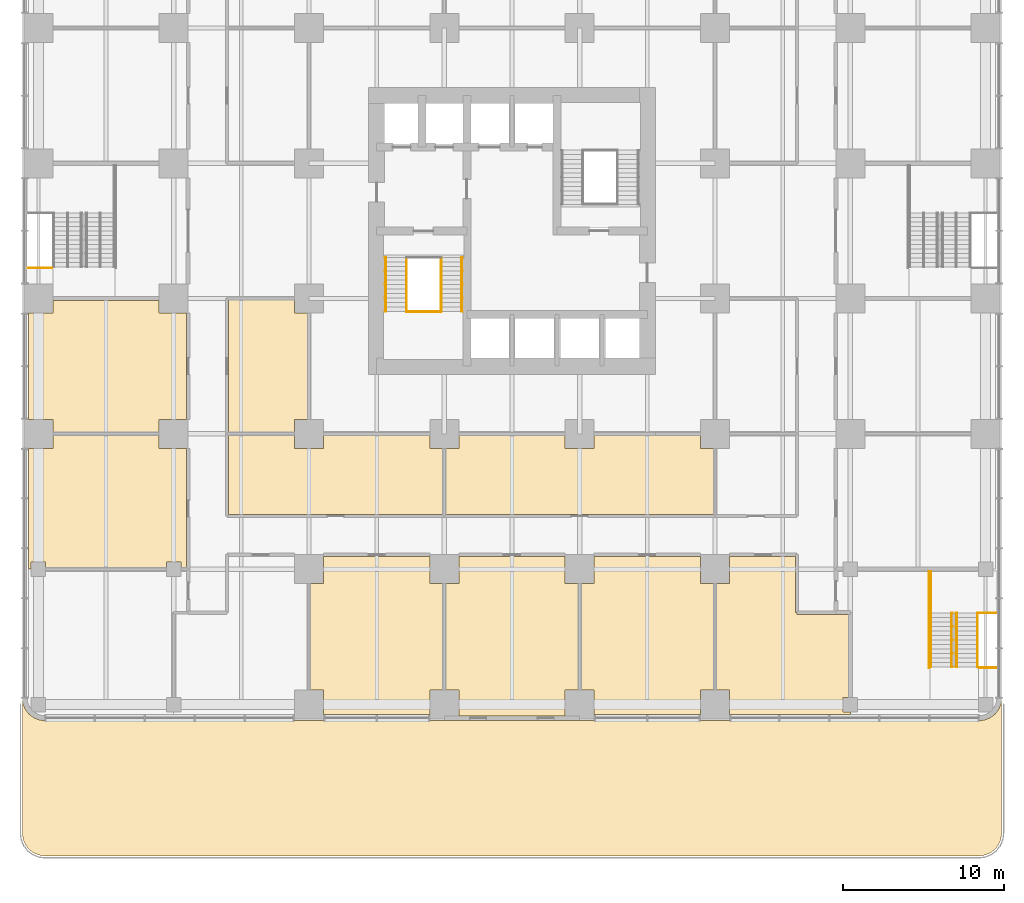
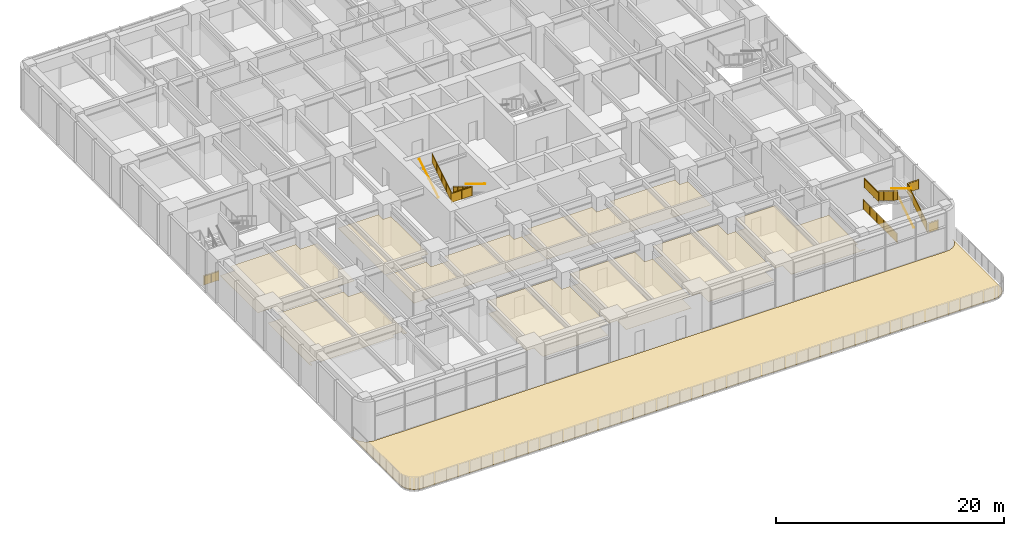
# One storey, part 16 of 19: 14 railings, 10 coverings.
"""IFC4 building model written with IfcOpenShell, lengths in metres."""

from ifc_helpers import new_model, si_unit, direction, frame, origin, origin_2d, place, context, subcontext, project, spatial, polyline, circle, outline, extrude, material, layer, layer_set, type_object, element, save


model = new_model("IFC4")

# Units and contexts
model_context = context("Model", 3, precision=1e-05, world=origin(), true_north=direction((0.0, 1.0)))
body_context = subcontext(model_context, "Body", "Model", "MODEL_VIEW")
ifc_project = project(units=[si_unit("LENGTHUNIT", "METRE"), si_unit("AREAUNIT", "SQUARE_METRE"), si_unit("VOLUMEUNIT", "CUBIC_METRE"), si_unit("PLANEANGLEUNIT", "RADIAN"), si_unit("MASSUNIT", "GRAM", prefix="KILO")], contexts=[model_context])

# Site, building, storey
site_placement = place(None, origin())
site = spatial("IfcSite", under=ifc_project, at=site_placement, CompositionType="ELEMENT")
building_placement = place(site_placement, origin())
building = spatial("IfcBuilding", under=site, at=building_placement, Name="Torre Alcanfor", CompositionType="ELEMENT")
storey_placement = place(building_placement, frame((0.0, 0.0, 15.0)))
storey = spatial("IfcBuildingStorey", under=building, at=storey_placement, Name="L03", CompositionType="ELEMENT", Elevation=15.0)

# Coverings
ifc_material_1 = material(Name="Mineral fibre acoustic tile 20 mm, NRC 0.70, on exposed suspension grid", Category="mineral fibre")
ifc_layer_1 = layer(ifc_material_1, 0.02001953125)
ifc_layer_set_1 = layer_set([ifc_layer_1], Name="Acoustic suspended ceiling 600x600 mineral fibre tile")
covering_type_1 = type_object("IfcCoveringType", Name="Acoustic suspended ceiling 600x600 mineral fibre tile", PredefinedType="CEILING", material=ifc_layer_set_1)
covering_1_placement = place(storey_placement, frame((0.0, 0.0, 2.75)))
element("IfcCovering", 1, at=covering_1_placement, inside=storey, type_object=covering_type_1, Name="Ceiling L03-02", PredefinedType="CEILING", context=body_context, shape_type="SweptSolid", body=[
    extrude(outline(polyline([(49.949951171875, -0.449951171875), (49.949951171875, 0.449951171875), (50.27490234375, 0.449951171875), (50.27490234375, 5.574951171875), (49.5, 5.574951171875), (49.5, 5.60009765625), (47.10009765625, 5.60009765625), (47.10009765625, 5.699951171875), (47.0, 5.699951171875), (47.0, 9.199951171875), (42.89990234375, 9.199951171875), (42.89990234375, 7.5), (42.074951171875, 7.5), (42.074951171875, 0.89990234375), (42.89990234375, 0.89990234375), (42.89990234375, -0.625), (50.39990234375, -0.625), (50.39990234375, -0.449951171875), (49.949951171875, -0.449951171875)])), origin(), (0.0, 0.0, 1.0), 0.02001953125),
])
covering_2_placement = place(storey_placement, frame((0.0, 0.0, 2.75)))
element("IfcCovering", 2, at=covering_2_placement, inside=storey, type_object=covering_type_1, Name="Ceiling L03-05", PredefinedType="CEILING", context=body_context, shape_type="SweptSolid", body=[
    extrude(outline(polyline([(25.125, 7.5), (24.300048828125, 7.5), (24.300048828125, 9.199951171875), (17.699951171875, 9.199951171875), (17.699951171875, 7.5), (16.875, 7.5), (16.875, 0.89990234375), (17.699951171875, 0.89990234375), (17.699951171875, -0.625), (24.300048828125, -0.625), (24.300048828125, 0.89990234375), (25.125, 0.89990234375), (25.125, 7.5)])), origin(), (0.0, 0.0, 1.0), 0.02001953125),
])
covering_3_placement = place(storey_placement, frame((0.0, 0.0, 2.75)))
element("IfcCovering", 3, at=covering_3_placement, inside=storey, type_object=covering_type_1, Name="Ceiling L03-06", PredefinedType="CEILING", context=body_context, shape_type="SweptSolid", body=[
    extrude(outline(polyline([(33.52490234375, 7.5), (32.699951171875, 7.5), (32.699951171875, 9.199951171875), (26.10009765625, 9.199951171875), (26.10009765625, 7.5), (25.27490234375, 7.5), (25.27490234375, 0.89990234375), (26.10009765625, 0.89990234375), (26.10009765625, -0.699951171875), (32.699951171875, -0.699951171875), (32.699951171875, 0.89990234375), (33.52490234375, 0.89990234375), (33.52490234375, 7.5)])), origin(), (0.0, 0.0, 1.0), 0.02001953125),
])
covering_4_placement = place(storey_placement, frame((0.0, 0.0, 2.75)))
element("IfcCovering", 4, at=covering_4_placement, inside=storey, type_object=covering_type_1, Name="Ceiling L03-07", PredefinedType="CEILING", context=body_context, shape_type="SweptSolid", body=[
    extrude(outline(polyline([(41.925048828125, 7.5), (41.10009765625, 7.5), (41.10009765625, 9.199951171875), (34.5, 9.199951171875), (34.5, 7.5), (33.675048828125, 7.5), (33.675048828125, 0.89990234375), (34.5, 0.89990234375), (34.5, -0.625), (41.10009765625, -0.625), (41.10009765625, 0.89990234375), (41.925048828125, 0.89990234375), (41.925048828125, 7.5)])), origin(), (0.0, 0.0, 1.0), 0.02001953125),
])
covering_5_placement = place(storey_placement, frame((0.0, 0.0, 2.75)))
element("IfcCovering", 5, at=covering_5_placement, inside=storey, type_object=covering_type_1, Name="Ceiling L03-08", PredefinedType="CEILING", context=body_context, shape_type="SweptSolid", body=[
    extrude(outline(polyline([(0.89990234375, 16.72509765625), (0.89990234375, 15.89990234375), (-0.625, 15.89990234375), (-0.625, 8.39990234375), (-0.449951171875, 8.39990234375), (-0.449951171875, 8.85009765625), (0.449951171875, 8.85009765625), (0.449951171875, 8.47509765625), (7.949951171875, 8.47509765625), (7.949951171875, 8.85009765625), (8.85009765625, 8.85009765625), (8.85009765625, 8.47509765625), (9.199951171875, 8.47509765625), (9.199951171875, 15.89990234375), (7.5, 15.89990234375), (7.5, 16.72509765625), (0.89990234375, 16.72509765625)])), origin(), (0.0, 0.0, 1.0), 0.02001953125),
])
covering_6_placement = place(storey_placement, frame((0.0, 0.0, 2.75)))
element("IfcCovering", 6, at=covering_6_placement, inside=storey, type_object=covering_type_1, Name="Ceiling L03-10", PredefinedType="CEILING", context=body_context, shape_type="SweptSolid", body=[
    extrude(outline(polyline([(0.89990234375, 25.074951171875), (0.89990234375, 24.300048828125), (-0.625, 24.300048828125), (-0.625, 17.699951171875), (0.89990234375, 17.699951171875), (0.89990234375, 16.875), (7.5, 16.875), (7.5, 17.699951171875), (9.199951171875, 17.699951171875), (9.199951171875, 24.300048828125), (7.5, 24.300048828125), (7.5, 25.074951171875), (0.89990234375, 25.074951171875)])), origin(), (0.0, 0.0, 1.0), 0.02001953125),
])
covering_7_placement = place(storey_placement, frame((0.0, 0.0, 3.0)))
element("IfcCovering", 7, at=covering_7_placement, inside=storey, type_object=covering_type_1, Name="Ceiling L03-I01", PredefinedType="CEILING", context=body_context, shape_type="SweptSolid", body=[
    extrude(outline(polyline([(17.699951171875, 15.89990234375), (15.89990234375, 15.89990234375), (15.89990234375, 16.72509765625), (11.800048828125, 16.72509765625), (11.800048828125, 11.800048828125), (25.125, 11.800048828125), (25.125, 15.89990234375), (24.300048828125, 15.89990234375), (24.300048828125, 16.699951171875), (17.699951171875, 16.699951171875), (17.699951171875, 15.89990234375)])), origin(), (0.0, 0.0, 1.0), 0.02001953125),
])
covering_8_placement = place(storey_placement, frame((0.0, 0.0, 3.0)))
element("IfcCovering", 8, at=covering_8_placement, inside=storey, type_object=covering_type_1, Name="Ceiling L03-I02", PredefinedType="CEILING", context=body_context, shape_type="SweptSolid", body=[
    extrude(outline(polyline([(26.10009765625, 16.699951171875), (26.10009765625, 15.89990234375), (25.27490234375, 15.89990234375), (25.27490234375, 11.800048828125), (41.925048828125, 11.800048828125), (41.925048828125, 15.89990234375), (41.10009765625, 15.89990234375), (41.10009765625, 16.699951171875), (34.5, 16.699951171875), (34.5, 15.89990234375), (32.699951171875, 15.89990234375), (32.699951171875, 16.699951171875), (26.10009765625, 16.699951171875)])), origin(), (0.0, 0.0, 1.0), 0.02001953125),
])
covering_9_placement = place(storey_placement, frame((0.0, 0.0, 3.0)))
element("IfcCovering", 9, at=covering_9_placement, inside=storey, type_object=covering_type_1, Name="Ceiling L03-I04", PredefinedType="CEILING", context=body_context, shape_type="SweptSolid", body=[
    extrude(outline(polyline([(16.699951171875, 24.300048828125), (15.89990234375, 24.300048828125), (15.89990234375, 25.10009765625), (11.800048828125, 25.10009765625), (11.800048828125, 16.875), (15.89990234375, 16.875), (15.89990234375, 17.699951171875), (16.699951171875, 17.699951171875), (16.699951171875, 24.300048828125)])), origin(), (0.0, 0.0, 1.0), 0.02001953125),
])
ifc_material_2 = material(Name="Rubber safety surfacing on screed", Category="masonry")
ifc_layer_2 = layer(ifc_material_2, 0.050048828125)
ifc_layer_set_2 = layer_set([ifc_layer_2], Name="Play deck rubber surface 50")
covering_type_2 = type_object("IfcCoveringType", Name="Play deck rubber surface 50", PredefinedType="FLOORING", material=ifc_layer_set_2)
covering_10_placement = place(storey_placement, origin())
element("IfcCovering", 10, at=covering_10_placement, inside=storey, type_object=covering_type_2, Name="Play deck surface L03 1", PredefinedType="FLOORING", context=body_context, shape_type="SweptSolid", body=[
    extrude(outline(polyline([(59.800048828125, 0.39990234375), (59.752197265625, 0.03759765625), (59.6123046875, -0.300048828125), (59.389892578125, -0.58984375), (59.10009765625, -0.8125), (58.76220703125, -0.952392578125), (58.39990234375, -1.0), (0.39990234375, -1.0), (0.03759765625, -0.952392578125), (-0.300048828125, -0.8125), (-0.58984375, -0.58984375), (-0.8125, -0.300048828125), (-0.952392578125, 0.03759765625), (-1.0, 0.39990234375), (-1.0, -8.0), (-0.952392578125, -8.3623046875), (-0.8125, -8.699951171875), (-0.58984375, -8.989990234375), (-0.300048828125, -9.21240234375), (0.03759765625, -9.352294921875), (0.39990234375, -9.39990234375), (58.39990234375, -9.39990234375), (58.76220703125, -9.352294921875), (59.10009765625, -9.21240234375), (59.389892578125, -8.989990234375), (59.6123046875, -8.699951171875), (59.752197265625, -8.3623046875), (59.800048828125, -8.0), (59.800048828125, 0.39990234375)])), origin(), (0.0, 0.0, 1.0), 0.050048828125),
])

# Railings
ifc_material_3 = material(Name="Steel ASTM A500 Grade C hollow sections", Category="steel")
railing_type_1 = type_object("IfcRailingType", Name="Stair guard and handrail 1100", PredefinedType="GUARDRAIL", material=ifc_material_3)
railing_1_placement = place(storey_placement, frame((25.0, 27.75, 0.173095703125)))
element("IfcRailing", 11, at=railing_1_placement, inside=storey, type_object=railing_type_1, Name="Stair guard S1 L03 flight 1", PredefinedType="GUARDRAIL", context=body_context, shape_type="SweptSolid", body=[
    extrude(circle(Radius=0.02392578125, at=origin_2d()), frame((0.0, 0.0, 1.076171875), z_axis=(0.0, -0.850623216509, 0.525775754039), x_axis=(1.0, 0.0, 0.0)), (0.0, 0.0, 1.0), 3.9501953125),
    extrude(circle(Radius=0.02099609375, at=origin_2d()), origin(), (0.0, 0.0, 1.0), 1.052001953125),
    extrude(circle(Radius=0.02099609375, at=origin_2d()), frame((0.0, -0.840087890625, 0.519287109375)), (0.0, 0.0, 1.0), 1.052001953125),
    extrude(circle(Radius=0.02099609375, at=origin_2d()), frame((0.0, -1.68017578125, 1.03857421875)), (0.0, 0.0, 1.0), 1.052001953125),
    extrude(circle(Radius=0.02099609375, at=origin_2d()), frame((0.0, -2.52001953125, 1.5576171875)), (0.0, 0.0, 1.0), 1.052001953125),
    extrude(circle(Radius=0.02099609375, at=origin_2d()), frame((0.0, -3.360107421875, 2.076904296875)), (0.0, 0.0, 1.0), 1.052001953125),
    extrude(outline(polyline([(0.041015625, 0.075439453125), (0.799072265625, 0.5439453125), (0.799072265625, 1.495849609375), (0.041015625, 1.02734375), (0.041015625, 0.075439453125)])), frame((0.005859375, 0.0, 0.0), z_axis=(-1.0, 0.0, 0.0), x_axis=(0.0, -1.0, 0.0)), (0.0, 0.0, 1.0), 0.011962890625),
    extrude(outline(polyline([(0.881103515625, 0.594482421875), (1.63916015625, 1.06298828125), (1.63916015625, 2.01513671875), (0.881103515625, 1.546630859375), (0.881103515625, 0.594482421875)])), frame((0.005859375, 0.0, 0.0), z_axis=(-1.0, 0.0, 0.0), x_axis=(0.0, -1.0, 0.0)), (0.0, 0.0, 1.0), 0.011962890625),
    extrude(outline(polyline([(1.720947265625, 1.11376953125), (2.47900390625, 1.582275390625), (2.47900390625, 2.534423828125), (1.720947265625, 2.065673828125), (1.720947265625, 1.11376953125)])), frame((0.005859375, 0.0, 0.0), z_axis=(-1.0, 0.0, 0.0), x_axis=(0.0, -1.0, 0.0)), (0.0, 0.0, 1.0), 0.011962890625),
    extrude(outline(polyline([(2.56103515625, 1.633056640625), (3.319091796875, 2.1015625), (3.319091796875, 3.053466796875), (2.56103515625, 2.5849609375), (2.56103515625, 1.633056640625)])), frame((0.005859375, 0.0, 0.0), z_axis=(-1.0, 0.0, 0.0), x_axis=(0.0, -1.0, 0.0)), (0.0, 0.0, 1.0), 0.011962890625),
])
railing_2_placement = place(storey_placement, frame((22.85009765625, 24.389892578125, 2.423095703125)))
element("IfcRailing", 12, at=railing_2_placement, inside=storey, type_object=railing_type_1, Name="Stair guard S1 L03 flight 2", PredefinedType="GUARDRAIL", context=body_context, shape_type="SweptSolid", body=[
    extrude(circle(Radius=0.02392578125, at=origin_2d()), frame((0.0, 0.0, 1.076171875), z_axis=(0.0, 0.850623216509, 0.525775754039), x_axis=(-1.0, 0.0, 0.0)), (0.0, 0.0, 1.0), 3.9501953125),
    extrude(circle(Radius=0.02099609375, at=origin_2d()), origin(), (0.0, 0.0, 1.0), 1.052001953125),
    extrude(circle(Radius=0.02099609375, at=origin_2d()), frame((0.0, 0.840087890625, 0.519287109375)), (0.0, 0.0, 1.0), 1.052001953125),
    extrude(circle(Radius=0.02099609375, at=origin_2d()), frame((0.0, 1.68017578125, 1.03857421875)), (0.0, 0.0, 1.0), 1.052001953125),
    extrude(circle(Radius=0.02099609375, at=origin_2d()), frame((0.0, 2.52001953125, 1.5576171875)), (0.0, 0.0, 1.0), 1.052001953125),
    extrude(circle(Radius=0.02099609375, at=origin_2d()), frame((0.0, 3.360107421875, 2.076904296875)), (0.0, 0.0, 1.0), 1.052001953125),
    extrude(outline(polyline([(0.041015625, 0.075439453125), (0.799072265625, 0.5439453125), (0.799072265625, 1.495849609375), (0.041015625, 1.02734375), (0.041015625, 0.075439453125)])), frame((-0.005859375, 0.0, 0.0), z_axis=(1.0, 0.0, 0.0), x_axis=(0.0, 1.0, 0.0)), (0.0, 0.0, 1.0), 0.011962890625),
    extrude(outline(polyline([(0.881103515625, 0.594482421875), (1.63916015625, 1.06298828125), (1.63916015625, 2.01513671875), (0.881103515625, 1.546630859375), (0.881103515625, 0.594482421875)])), frame((-0.005859375, 0.0, 0.0), z_axis=(1.0, 0.0, 0.0), x_axis=(0.0, 1.0, 0.0)), (0.0, 0.0, 1.0), 0.011962890625),
    extrude(outline(polyline([(1.720947265625, 1.11376953125), (2.47900390625, 1.582275390625), (2.47900390625, 2.534423828125), (1.720947265625, 2.065673828125), (1.720947265625, 1.11376953125)])), frame((-0.005859375, 0.0, 0.0), z_axis=(1.0, 0.0, 0.0), x_axis=(0.0, 1.0, 0.0)), (0.0, 0.0, 1.0), 0.011962890625),
    extrude(outline(polyline([(2.56103515625, 1.633056640625), (3.319091796875, 2.1015625), (3.319091796875, 3.053466796875), (2.56103515625, 2.5849609375), (2.56103515625, 1.633056640625)])), frame((-0.005859375, 0.0, 0.0), z_axis=(1.0, 0.0, 0.0), x_axis=(0.0, 1.0, 0.0)), (0.0, 0.0, 1.0), 0.011962890625),
])
railing_3_placement = place(storey_placement, frame((22.85009765625, 24.389892578125, 2.25)))
element("IfcRailing", 13, at=railing_3_placement, inside=storey, type_object=railing_type_1, Name="Stair well guard S1 L03 half landing", PredefinedType="GUARDRAIL", context=body_context, shape_type="SweptSolid", body=[
    extrude(circle(Radius=0.02392578125, at=origin_2d()), frame((0.0, 0.0, 1.076171875), z_axis=(1.0, 0.0, 0.0), x_axis=(0.0, 1.0, 0.0)), (0.0, 0.0, 1.0), 2.14990234375),
    extrude(circle(Radius=0.02099609375, at=origin_2d()), origin(), (0.0, 0.0, 1.0), 1.052001953125),
    extrude(circle(Radius=0.02099609375, at=origin_2d()), frame((1.074951171875, 0.0, 0.0)), (0.0, 0.0, 1.0), 1.052001953125),
    extrude(circle(Radius=0.02099609375, at=origin_2d()), frame((2.14990234375, 0.0, 0.0)), (0.0, 0.0, 1.0), 1.052001953125),
    extrude(outline(polyline([(0.041015625, 0.050048828125), (1.033935546875, 0.050048828125), (1.033935546875, 1.001953125), (0.041015625, 1.001953125), (0.041015625, 0.050048828125)])), frame((0.0, 0.005859375, 0.0), z_axis=(0.0, -1.0, 0.0), x_axis=(1.0, 0.0, 0.0)), (0.0, 0.0, 1.0), 0.011962890625),
    extrude(outline(polyline([(1.115966796875, 0.050048828125), (2.10888671875, 0.050048828125), (2.10888671875, 1.001953125), (1.115966796875, 1.001953125), (1.115966796875, 0.050048828125)])), frame((0.0, 0.005859375, 0.0), z_axis=(0.0, -1.0, 0.0), x_axis=(1.0, 0.0, 0.0)), (0.0, 0.0, 1.0), 0.011962890625),
])
railing_4_placement = place(storey_placement, frame((-0.64990234375, 27.10498046875, 0.0)))
element("IfcRailing", 14, at=railing_4_placement, inside=storey, type_object=railing_type_1, Name="Stair well guard SS1 L03 facade strip", PredefinedType="GUARDRAIL", context=body_context, shape_type="SweptSolid", body=[
    extrude(circle(Radius=0.02392578125, at=origin_2d()), frame((0.0, 0.0, 1.076171875), z_axis=(1.0, 0.0, 0.0), x_axis=(0.0, 1.0, 0.0)), (0.0, 0.0, 1.0), 1.5),
    extrude(circle(Radius=0.02099609375, at=origin_2d()), origin(), (0.0, 0.0, 1.0), 1.052001953125),
    extrude(circle(Radius=0.02099609375, at=origin_2d()), frame((0.75, 0.0, 0.0)), (0.0, 0.0, 1.0), 1.052001953125),
    extrude(circle(Radius=0.02099609375, at=origin_2d()), frame((1.5, 0.0, 0.0)), (0.0, 0.0, 1.0), 1.052001953125),
    extrude(outline(polyline([(0.041015625, 0.050048828125), (0.708984375, 0.050048828125), (0.708984375, 1.001953125), (0.041015625, 1.001953125), (0.041015625, 0.050048828125)])), frame((0.0, 0.005859375, 0.0), z_axis=(0.0, -1.0, 0.0), x_axis=(1.0, 0.0, 0.0)), (0.0, 0.0, 1.0), 0.011962890625),
    extrude(outline(polyline([(0.791015625, 0.050048828125), (1.458984375, 0.050048828125), (1.458984375, 1.001953125), (0.791015625, 1.001953125), (0.791015625, 0.050048828125)])), frame((0.0, 0.005859375, 0.0), z_axis=(0.0, -1.0, 0.0), x_axis=(1.0, 0.0, 0.0)), (0.0, 0.0, 1.0), 0.011962890625),
])
railing_5_placement = place(storey_placement, frame((55.300048828125, 2.27490234375, 0.0)))
element("IfcRailing", 15, at=railing_5_placement, inside=storey, type_object=railing_type_1, Name="Stair well guard SS3 L03 door side", PredefinedType="GUARDRAIL", context=body_context, shape_type="SweptSolid", body=[
    extrude(circle(Radius=0.02392578125, at=origin_2d()), frame((0.0, 0.0, 1.076171875), z_axis=(0.0, 1.0, 0.0), x_axis=(-1.0, 0.0, 0.0)), (0.0, 0.0, 1.0), 5.989990234375),
    extrude(circle(Radius=0.02099609375, at=origin_2d()), origin(), (0.0, 0.0, 1.0), 1.052001953125),
    extrude(circle(Radius=0.02099609375, at=origin_2d()), frame((0.0, 1.197998046875, 0.0)), (0.0, 0.0, 1.0), 1.052001953125),
    extrude(circle(Radius=0.02099609375, at=origin_2d()), frame((0.0, 2.39599609375, 0.0)), (0.0, 0.0, 1.0), 1.052001953125),
    extrude(circle(Radius=0.02099609375, at=origin_2d()), frame((0.0, 3.593994140625, 0.0)), (0.0, 0.0, 1.0), 1.052001953125),
    extrude(circle(Radius=0.02099609375, at=origin_2d()), frame((0.0, 4.7919921875, 0.0)), (0.0, 0.0, 1.0), 1.052001953125),
    extrude(circle(Radius=0.02099609375, at=origin_2d()), frame((0.0, 5.989990234375, 0.0)), (0.0, 0.0, 1.0), 1.052001953125),
    extrude(outline(polyline([(0.041015625, 0.050048828125), (1.156982421875, 0.050048828125), (1.156982421875, 1.001953125), (0.041015625, 1.001953125), (0.041015625, 0.050048828125)])), frame((-0.005859375, 0.0, 0.0), z_axis=(1.0, 0.0, 0.0), x_axis=(0.0, 1.0, 0.0)), (0.0, 0.0, 1.0), 0.011962890625),
    extrude(outline(polyline([(1.239013671875, 0.050048828125), (2.35498046875, 0.050048828125), (2.35498046875, 1.001953125), (1.239013671875, 1.001953125), (1.239013671875, 0.050048828125)])), frame((-0.005859375, 0.0, 0.0), z_axis=(1.0, 0.0, 0.0), x_axis=(0.0, 1.0, 0.0)), (0.0, 0.0, 1.0), 0.011962890625),
    extrude(outline(polyline([(2.43701171875, 0.050048828125), (3.552978515625, 0.050048828125), (3.552978515625, 1.001953125), (2.43701171875, 1.001953125), (2.43701171875, 0.050048828125)])), frame((-0.005859375, 0.0, 0.0), z_axis=(1.0, 0.0, 0.0), x_axis=(0.0, 1.0, 0.0)), (0.0, 0.0, 1.0), 0.011962890625),
    extrude(outline(polyline([(3.635009765625, 0.050048828125), (4.7509765625, 0.050048828125), (4.7509765625, 1.001953125), (3.635009765625, 1.001953125), (3.635009765625, 0.050048828125)])), frame((-0.005859375, 0.0, 0.0), z_axis=(1.0, 0.0, 0.0), x_axis=(0.0, 1.0, 0.0)), (0.0, 0.0, 1.0), 0.011962890625),
    extrude(outline(polyline([(4.8330078125, 0.050048828125), (5.948974609375, 0.050048828125), (5.948974609375, 1.001953125), (4.8330078125, 1.001953125), (4.8330078125, 0.050048828125)])), frame((-0.005859375, 0.0, 0.0), z_axis=(1.0, 0.0, 0.0), x_axis=(0.0, 1.0, 0.0)), (0.0, 0.0, 1.0), 0.011962890625),
])
railing_6_placement = place(storey_placement, frame((59.449951171875, 2.27490234375, 0.0)))
element("IfcRailing", 16, at=railing_6_placement, inside=storey, type_object=railing_type_1, Name="Stair well guard SS3 L03 facade strip", PredefinedType="GUARDRAIL", context=body_context, shape_type="SweptSolid", body=[
    extrude(circle(Radius=0.02392578125, at=origin_2d()), frame((0.0, 0.0, 1.076171875), z_axis=(-1.0, 0.0, 0.0), x_axis=(0.0, -1.0, 0.0)), (0.0, 0.0, 1.0), 1.050048828125),
    extrude(circle(Radius=0.02099609375, at=origin_2d()), origin(), (0.0, 0.0, 1.0), 1.052001953125),
    extrude(circle(Radius=0.02099609375, at=origin_2d()), frame((-1.050048828125, 0.0, 0.0)), (0.0, 0.0, 1.0), 1.052001953125),
    extrude(outline(polyline([(0.041015625, 0.050048828125), (1.009033203125, 0.050048828125), (1.009033203125, 1.001953125), (0.041015625, 1.001953125), (0.041015625, 0.050048828125)])), frame((0.0, -0.005859375, 0.0), z_axis=(0.0, 1.0, 0.0), x_axis=(-1.0, 0.0, 0.0)), (0.0, 0.0, 1.0), 0.011962890625),
])
railing_7_placement = place(storey_placement, frame((58.300048828125, 2.324951171875, 0.173095703125)))
element("IfcRailing", 17, at=railing_7_placement, inside=storey, type_object=railing_type_1, Name="Stair guard SS3 L03 flight 1", PredefinedType="GUARDRAIL", context=body_context, shape_type="SweptSolid", body=[
    extrude(circle(Radius=0.02392578125, at=origin_2d()), frame((0.0, 0.0, 1.076171875), z_axis=(0.0, 0.850623216509, 0.525775754039), x_axis=(-1.0, 0.0, 0.0)), (0.0, 0.0, 1.0), 3.9501953125),
    extrude(circle(Radius=0.02099609375, at=origin_2d()), origin(), (0.0, 0.0, 1.0), 1.052001953125),
    extrude(circle(Radius=0.02099609375, at=origin_2d()), frame((0.0, 0.840087890625, 0.519287109375)), (0.0, 0.0, 1.0), 1.052001953125),
    extrude(circle(Radius=0.02099609375, at=origin_2d()), frame((0.0, 1.68017578125, 1.03857421875)), (0.0, 0.0, 1.0), 1.052001953125),
    extrude(circle(Radius=0.02099609375, at=origin_2d()), frame((0.0, 2.52001953125, 1.5576171875)), (0.0, 0.0, 1.0), 1.052001953125),
    extrude(circle(Radius=0.02099609375, at=origin_2d()), frame((0.0, 3.360107421875, 2.076904296875)), (0.0, 0.0, 1.0), 1.052001953125),
    extrude(outline(polyline([(0.041015625, 0.075439453125), (0.799072265625, 0.5439453125), (0.799072265625, 1.495849609375), (0.041015625, 1.02734375), (0.041015625, 0.075439453125)])), frame((-0.005859375, 0.0, 0.0), z_axis=(1.0, 0.0, 0.0), x_axis=(0.0, 1.0, 0.0)), (0.0, 0.0, 1.0), 0.011962890625),
    extrude(outline(polyline([(0.881103515625, 0.594482421875), (1.63916015625, 1.06298828125), (1.63916015625, 2.01513671875), (0.881103515625, 1.546630859375), (0.881103515625, 0.594482421875)])), frame((-0.005859375, 0.0, 0.0), z_axis=(1.0, 0.0, 0.0), x_axis=(0.0, 1.0, 0.0)), (0.0, 0.0, 1.0), 0.011962890625),
    extrude(outline(polyline([(1.720947265625, 1.11376953125), (2.47900390625, 1.582275390625), (2.47900390625, 2.534423828125), (1.720947265625, 2.065673828125), (1.720947265625, 1.11376953125)])), frame((-0.005859375, 0.0, 0.0), z_axis=(1.0, 0.0, 0.0), x_axis=(0.0, 1.0, 0.0)), (0.0, 0.0, 1.0), 0.011962890625),
    extrude(outline(polyline([(2.56103515625, 1.633056640625), (3.319091796875, 2.1015625), (3.319091796875, 3.053466796875), (2.56103515625, 2.5849609375), (2.56103515625, 1.633056640625)])), frame((-0.005859375, 0.0, 0.0), z_axis=(1.0, 0.0, 0.0), x_axis=(0.0, 1.0, 0.0)), (0.0, 0.0, 1.0), 0.011962890625),
])
railing_8_placement = place(storey_placement, frame((55.39990234375, 5.68505859375, 2.423095703125)))
element("IfcRailing", 18, at=railing_8_placement, inside=storey, type_object=railing_type_1, Name="Stair guard SS3 L03 flight 2", PredefinedType="GUARDRAIL", context=body_context, shape_type="SweptSolid", body=[
    extrude(circle(Radius=0.02392578125, at=origin_2d()), frame((0.0, 0.0, 1.076171875), z_axis=(0.0, -0.850623216509, 0.525775754039), x_axis=(1.0, 0.0, 0.0)), (0.0, 0.0, 1.0), 3.9501953125),
    extrude(circle(Radius=0.02099609375, at=origin_2d()), origin(), (0.0, 0.0, 1.0), 1.052001953125),
    extrude(circle(Radius=0.02099609375, at=origin_2d()), frame((0.0, -0.840087890625, 0.519287109375)), (0.0, 0.0, 1.0), 1.052001953125),
    extrude(circle(Radius=0.02099609375, at=origin_2d()), frame((0.0, -1.68017578125, 1.03857421875)), (0.0, 0.0, 1.0), 1.052001953125),
    extrude(circle(Radius=0.02099609375, at=origin_2d()), frame((0.0, -2.52001953125, 1.5576171875)), (0.0, 0.0, 1.0), 1.052001953125),
    extrude(circle(Radius=0.02099609375, at=origin_2d()), frame((0.0, -3.360107421875, 2.076904296875)), (0.0, 0.0, 1.0), 1.052001953125),
    extrude(outline(polyline([(0.041015625, 0.075439453125), (0.799072265625, 0.5439453125), (0.799072265625, 1.495849609375), (0.041015625, 1.02734375), (0.041015625, 0.075439453125)])), frame((0.005859375, 0.0, 0.0), z_axis=(-1.0, 0.0, 0.0), x_axis=(0.0, -1.0, 0.0)), (0.0, 0.0, 1.0), 0.011962890625),
    extrude(outline(polyline([(0.881103515625, 0.594482421875), (1.63916015625, 1.06298828125), (1.63916015625, 2.01513671875), (0.881103515625, 1.546630859375), (0.881103515625, 0.594482421875)])), frame((0.005859375, 0.0, 0.0), z_axis=(-1.0, 0.0, 0.0), x_axis=(0.0, -1.0, 0.0)), (0.0, 0.0, 1.0), 0.011962890625),
    extrude(outline(polyline([(1.720947265625, 1.11376953125), (2.47900390625, 1.582275390625), (2.47900390625, 2.534423828125), (1.720947265625, 2.065673828125), (1.720947265625, 1.11376953125)])), frame((0.005859375, 0.0, 0.0), z_axis=(-1.0, 0.0, 0.0), x_axis=(0.0, -1.0, 0.0)), (0.0, 0.0, 1.0), 0.011962890625),
    extrude(outline(polyline([(2.56103515625, 1.633056640625), (3.319091796875, 2.1015625), (3.319091796875, 3.053466796875), (2.56103515625, 2.5849609375), (2.56103515625, 1.633056640625)])), frame((0.005859375, 0.0, 0.0), z_axis=(-1.0, 0.0, 0.0), x_axis=(0.0, -1.0, 0.0)), (0.0, 0.0, 1.0), 0.011962890625),
])
railing_9_placement = place(storey_placement, frame((59.449951171875, 5.68505859375, 2.25)))
element("IfcRailing", 19, at=railing_9_placement, inside=storey, type_object=railing_type_1, Name="Stair guard SS3 L03 half landing facade strip", PredefinedType="GUARDRAIL", context=body_context, shape_type="SweptSolid", body=[
    extrude(circle(Radius=0.02392578125, at=origin_2d()), frame((0.0, 0.0, 1.076171875), z_axis=(-1.0, 0.0, 0.0), x_axis=(0.0, -1.0, 0.0)), (0.0, 0.0, 1.0), 1.099853515625),
    extrude(circle(Radius=0.02099609375, at=origin_2d()), origin(), (0.0, 0.0, 1.0), 1.052001953125),
    extrude(circle(Radius=0.02099609375, at=origin_2d()), frame((-1.099853515625, 0.0, 0.0)), (0.0, 0.0, 1.0), 1.052001953125),
    extrude(outline(polyline([(0.041015625, 0.050048828125), (1.058837890625, 0.050048828125), (1.058837890625, 1.001953125), (0.041015625, 1.001953125), (0.041015625, 0.050048828125)])), frame((0.0, -0.005859375, 0.0), z_axis=(0.0, 1.0, 0.0), x_axis=(-1.0, 0.0, 0.0)), (0.0, 0.0, 1.0), 0.011962890625),
])
railing_10_placement = place(storey_placement, frame((55.39990234375, 5.68505859375, 2.25)))
element("IfcRailing", 20, at=railing_10_placement, inside=storey, type_object=railing_type_1, Name="Stair guard SS3 L03 half landing", PredefinedType="GUARDRAIL", context=body_context, shape_type="SweptSolid", body=[
    extrude(circle(Radius=0.02392578125, at=origin_2d()), frame((0.0, 0.0, 1.076171875), z_axis=(0.0, 1.0, 0.0), x_axis=(-1.0, 0.0, 0.0)), (0.0, 0.0, 1.0), 2.579833984375),
    extrude(circle(Radius=0.02099609375, at=origin_2d()), origin(), (0.0, 0.0, 1.0), 1.052001953125),
    extrude(circle(Radius=0.02099609375, at=origin_2d()), frame((0.0, 0.85986328125, 0.0)), (0.0, 0.0, 1.0), 1.052001953125),
    extrude(circle(Radius=0.02099609375, at=origin_2d()), frame((0.0, 1.719970703125, 0.0)), (0.0, 0.0, 1.0), 1.052001953125),
    extrude(circle(Radius=0.02099609375, at=origin_2d()), frame((0.0, 2.579833984375, 0.0)), (0.0, 0.0, 1.0), 1.052001953125),
    extrude(outline(polyline([(0.041015625, 0.050048828125), (0.81884765625, 0.050048828125), (0.81884765625, 1.001953125), (0.041015625, 1.001953125), (0.041015625, 0.050048828125)])), frame((-0.005859375, 0.0, 0.0), z_axis=(1.0, 0.0, 0.0), x_axis=(0.0, 1.0, 0.0)), (0.0, 0.0, 1.0), 0.011962890625),
    extrude(outline(polyline([(0.90087890625, 0.050048828125), (1.678955078125, 0.050048828125), (1.678955078125, 1.001953125), (0.90087890625, 1.001953125), (0.90087890625, 0.050048828125)])), frame((-0.005859375, 0.0, 0.0), z_axis=(1.0, 0.0, 0.0), x_axis=(0.0, 1.0, 0.0)), (0.0, 0.0, 1.0), 0.011962890625),
    extrude(outline(polyline([(1.760986328125, 0.050048828125), (2.538818359375, 0.050048828125), (2.538818359375, 1.001953125), (1.760986328125, 1.001953125), (1.760986328125, 0.050048828125)])), frame((-0.005859375, 0.0, 0.0), z_axis=(1.0, 0.0, 0.0), x_axis=(0.0, 1.0, 0.0)), (0.0, 0.0, 1.0), 0.011962890625),
])
ifc_material_4 = material(Name="Steel ASTM A500 Grade C hollow sections", Category="steel")
railing_type_2 = type_object("IfcRailingType", Name="Stair wall handrail 900", PredefinedType="HANDRAIL", material=ifc_material_4)
railing_11_placement = place(storey_placement, frame((26.284912109375, 27.75, 0.173095703125)))
element("IfcRailing", 21, at=railing_11_placement, inside=storey, type_object=railing_type_2, Name="Stair handrail S1 L03 flight 1", PredefinedType="HANDRAIL", context=body_context, shape_type="SweptSolid", body=[
    extrude(circle(Radius=0.02392578125, at=origin_2d()), frame((0.0, 0.0, 0.8759765625), z_axis=(0.0, -0.850623216509, 0.525775754039), x_axis=(1.0, 0.0, 0.0)), (0.0, 0.0, 1.0), 3.9501953125),
    extrude(circle(Radius=0.008056640625, at=origin_2d()), frame((0.0, 0.0, 0.8759765625), z_axis=(1.0, 0.0, 0.0), x_axis=(0.0, 0.0, 1.0)), (0.0, 0.0, 1.0), 0.06494140625),
    extrude(circle(Radius=0.008056640625, at=origin_2d()), frame((0.0, -0.840087890625, 1.39501953125), z_axis=(1.0, 0.0, 0.0), x_axis=(0.0, 0.0, 1.0)), (0.0, 0.0, 1.0), 0.06494140625),
    extrude(circle(Radius=0.008056640625, at=origin_2d()), frame((0.0, -1.68017578125, 1.914306640625), z_axis=(1.0, 0.0, 0.0), x_axis=(0.0, 0.0, 1.0)), (0.0, 0.0, 1.0), 0.06494140625),
    extrude(circle(Radius=0.008056640625, at=origin_2d()), frame((0.0, -2.52001953125, 2.43359375), z_axis=(1.0, 0.0, 0.0), x_axis=(0.0, 0.0, 1.0)), (0.0, 0.0, 1.0), 0.06494140625),
    extrude(circle(Radius=0.008056640625, at=origin_2d()), frame((0.0, -3.360107421875, 2.95263671875), z_axis=(1.0, 0.0, 0.0), x_axis=(0.0, 0.0, 1.0)), (0.0, 0.0, 1.0), 0.06494140625),
])
for number, where, name in (
    (22, (21.56494140625, 24.389892578125, 2.423095703125), "Stair handrail S1 L03 flight 2"),
    (23, (57.014892578125, 2.324951171875, 0.173095703125), "Stair handrail SS3 L03 flight 1"),
):
    element("IfcRailing", number, at=place(storey_placement, frame(where)), inside=storey, type_object=railing_type_2, Name=name, PredefinedType="HANDRAIL", context=body_context, shape_type="SweptSolid", body=[
        extrude(circle(Radius=0.02392578125, at=origin_2d()), frame((0.0, 0.0, 0.8759765625), z_axis=(0.0, 0.850623216509, 0.525775754039), x_axis=(-1.0, 0.0, 0.0)), (0.0, 0.0, 1.0), 3.9501953125),
        extrude(circle(Radius=0.008056640625, at=origin_2d()), frame((0.0, 0.0, 0.8759765625), z_axis=(-1.0, 0.0, 0.0), x_axis=(0.0, 0.0, 1.0)), (0.0, 0.0, 1.0), 0.06494140625),
        extrude(circle(Radius=0.008056640625, at=origin_2d()), frame((0.0, 0.840087890625, 1.39501953125), z_axis=(-1.0, 0.0, 0.0), x_axis=(0.0, 0.0, 1.0)), (0.0, 0.0, 1.0), 0.06494140625),
        extrude(circle(Radius=0.008056640625, at=origin_2d()), frame((0.0, 1.68017578125, 1.914306640625), z_axis=(-1.0, 0.0, 0.0), x_axis=(0.0, 0.0, 1.0)), (0.0, 0.0, 1.0), 0.06494140625),
        extrude(circle(Radius=0.008056640625, at=origin_2d()), frame((0.0, 2.52001953125, 2.43359375), z_axis=(-1.0, 0.0, 0.0), x_axis=(0.0, 0.0, 1.0)), (0.0, 0.0, 1.0), 0.06494140625),
        extrude(circle(Radius=0.008056640625, at=origin_2d()), frame((0.0, 3.360107421875, 2.95263671875), z_axis=(-1.0, 0.0, 0.0), x_axis=(0.0, 0.0, 1.0)), (0.0, 0.0, 1.0), 0.06494140625),
    ])
railing_12_placement = place(storey_placement, frame((56.68505859375, 5.68505859375, 2.423095703125)))
element("IfcRailing", 24, at=railing_12_placement, inside=storey, type_object=railing_type_2, Name="Stair handrail SS3 L03 flight 2", PredefinedType="HANDRAIL", context=body_context, shape_type="SweptSolid", body=[
    extrude(circle(Radius=0.02392578125, at=origin_2d()), frame((0.0, 0.0, 0.8759765625), z_axis=(0.0, -0.850623216509, 0.525775754039), x_axis=(1.0, 0.0, 0.0)), (0.0, 0.0, 1.0), 3.9501953125),
    extrude(circle(Radius=0.008056640625, at=origin_2d()), frame((0.0, 0.0, 0.8759765625), z_axis=(1.0, 0.0, 0.0), x_axis=(0.0, 0.0, 1.0)), (0.0, 0.0, 1.0), 0.06494140625),
    extrude(circle(Radius=0.008056640625, at=origin_2d()), frame((0.0, -0.840087890625, 1.39501953125), z_axis=(1.0, 0.0, 0.0), x_axis=(0.0, 0.0, 1.0)), (0.0, 0.0, 1.0), 0.06494140625),
    extrude(circle(Radius=0.008056640625, at=origin_2d()), frame((0.0, -1.68017578125, 1.914306640625), z_axis=(1.0, 0.0, 0.0), x_axis=(0.0, 0.0, 1.0)), (0.0, 0.0, 1.0), 0.06494140625),
    extrude(circle(Radius=0.008056640625, at=origin_2d()), frame((0.0, -2.52001953125, 2.43359375), z_axis=(1.0, 0.0, 0.0), x_axis=(0.0, 0.0, 1.0)), (0.0, 0.0, 1.0), 0.06494140625),
    extrude(circle(Radius=0.008056640625, at=origin_2d()), frame((0.0, -3.360107421875, 2.95263671875), z_axis=(1.0, 0.0, 0.0), x_axis=(0.0, 0.0, 1.0)), (0.0, 0.0, 1.0), 0.06494140625),
])

save(model, "model.ifc")
